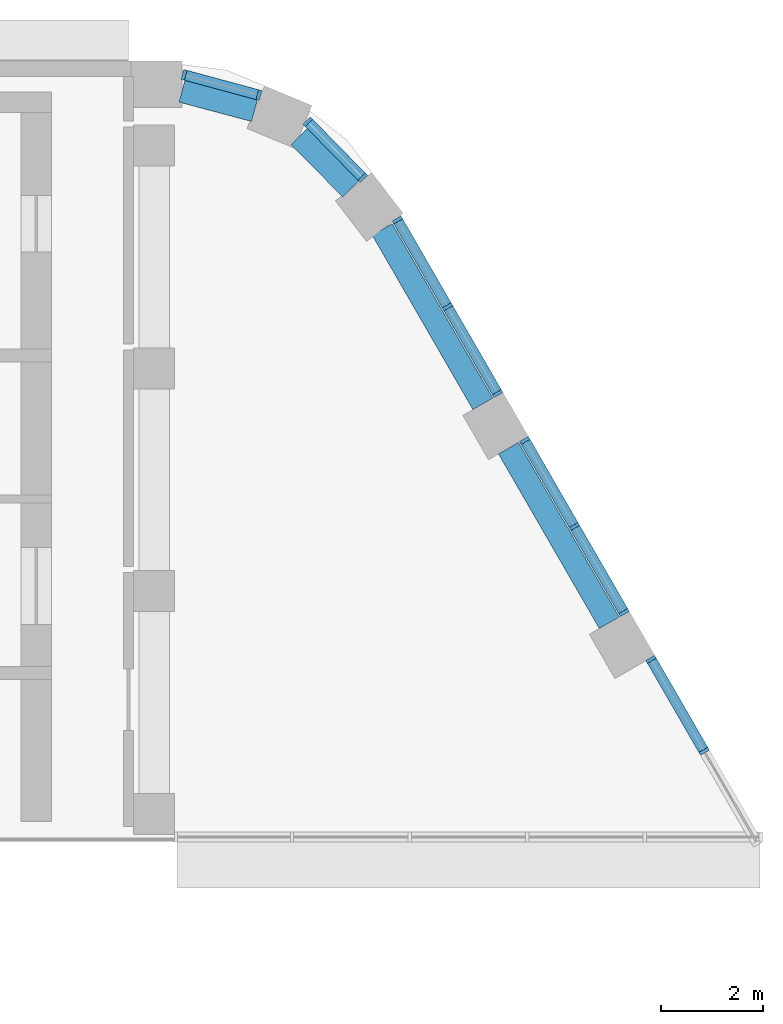
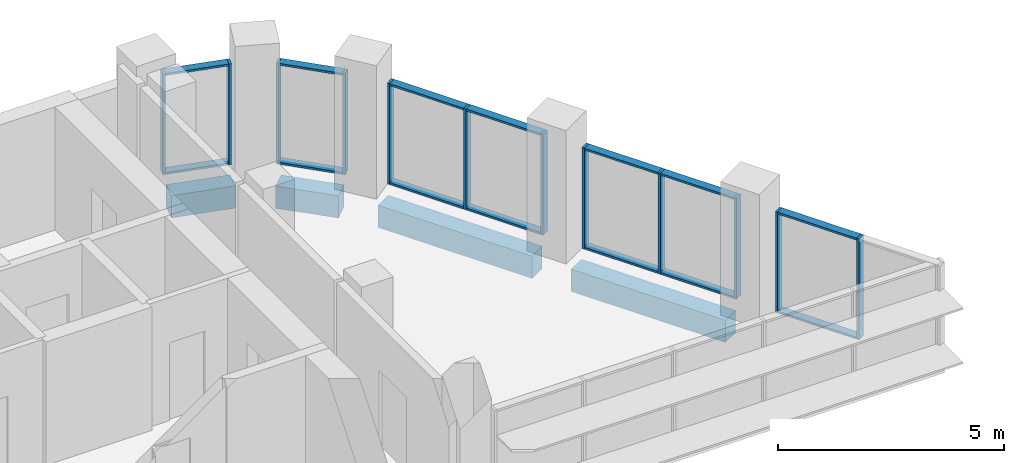
# One storey, part 6 of 13: 26 members, 4 beams, 5 elements without a shape of their own.
"""IFC4 building model written with IfcOpenShell, lengths in metres."""

from ifc_helpers import new_model, si_unit, direction, frame, origin, origin_2d, place, context, subcontext, project, spatial, rectangle, extrude, material, layer, layer_set, material_profile, profile_set, type_object, element, aggregate, save


model = new_model("IFC4")

# Units and contexts
model_context = context("Model", 3, precision=1e-05, world=origin(), true_north=direction((0.0, 1.0)))
body_context = subcontext(model_context, "Body", "Model", "MODEL_VIEW")
ifc_project = project(units=[si_unit("LENGTHUNIT", "METRE"), si_unit("AREAUNIT", "SQUARE_METRE"), si_unit("VOLUMEUNIT", "CUBIC_METRE"), si_unit("PLANEANGLEUNIT", "RADIAN"), si_unit("MASSUNIT", "GRAM", prefix="KILO")], contexts=[model_context])

# Site, building, storey
site_placement = place(None, origin())
site = spatial("IfcSite", under=ifc_project, at=site_placement, CompositionType="ELEMENT")
building_placement = place(site_placement, origin())
building = spatial("IfcBuilding", under=site, at=building_placement, Name="Nakaniwa Court", CompositionType="ELEMENT")
storey_placement = place(building_placement, frame((0.0, 0.0, 286.800048828125)))
storey = spatial("IfcBuildingStorey", under=building, at=storey_placement, Name="C05", CompositionType="ELEMENT", Elevation=286.800048828125)

# Beams
ifc_material_1 = material(Name="Concrete C80/100", Category="concrete")
ifc_material_profile_1 = material_profile(ifc_material_1, rectangle(XDim=0.449951171875, YDim=0.60009765625, at=origin_2d()), Name="Concrete C80/100 RC 450x600 spandrel beam")
ifc_profile_set_1 = profile_set([ifc_material_profile_1], Name="Concrete C80/100")
beam_type = type_object("IfcBeamType", Name="Concrete C80/100 RC 450x600 spandrel beam", PredefinedType="BEAM", material=ifc_profile_set_1)
beam_1_placement = place(storey_placement, frame((98.889404296875, 91.6826171875, -0.574951171875), z_axis=(-0.500021313302, 0.866013098194, 0.0), x_axis=(-0.866013098194, -0.500021313302, 0.0)))
element("IfcBeam", 1, at=beam_1_placement, inside=storey, type_object=beam_type, Name="SPANDREL BEAM", PredefinedType="BEAM", context=body_context, shape_type="SweptSolid", body=[
    extrude(rectangle(XDim=0.449951171875, YDim=0.60009765625, at=origin_2d()), origin(), (0.0, 0.0, 1.0), 3.936279296875),
])
beam_2_placement = place(storey_placement, frame((96.421142578125, 95.95751953125, -0.574951171875), z_axis=(-0.499958946799, 0.866049104564, 0.0), x_axis=(-0.866049104564, -0.499958946799, 0.0)))
element("IfcBeam", 2, at=beam_2_placement, inside=storey, type_object=beam_type, Name="SPANDREL BEAM", PredefinedType="BEAM", context=body_context, shape_type="SweptSolid", body=[
    extrude(rectangle(XDim=0.449951171875, YDim=0.60009765625, at=origin_2d()), origin(), (0.0, 0.0, 1.0), 3.931884765625),
])
beam_3_placement = place(storey_placement, frame((93.84716796875, 100.156494140625, -0.574951171875), z_axis=(-0.706004380105, 0.708207466265, 0.0), x_axis=(-0.708207466265, -0.706004380105, 0.0)))
element("IfcBeam", 3, at=beam_3_placement, inside=storey, type_object=beam_type, Name="SPANDREL BEAM", PredefinedType="BEAM", context=body_context, shape_type="SweptSolid", body=[
    extrude(rectangle(XDim=0.449951171875, YDim=0.60009765625, at=origin_2d()), origin(), (0.0, 0.0, 1.0), 1.440673828125),
])
beam_4_placement = place(storey_placement, frame((91.96044921875, 101.68994140625, -0.574951171875), z_axis=(-0.966301318257, 0.257413601689, 0.0), x_axis=(-0.257413601689, -0.966301318257, 0.0)))
element("IfcBeam", 4, at=beam_4_placement, inside=storey, type_object=beam_type, Name="SPANDREL BEAM", PredefinedType="BEAM", context=body_context, shape_type="SweptSolid", body=[
    extrude(rectangle(XDim=0.449951171875, YDim=0.60009765625, at=origin_2d()), origin(), (0.0, 0.0, 1.0), 1.46435546875),
])

# Curtain wall, members
ifc_material_2 = material(Name="Black anodised aluminium frame with dark low-E laminated double glazing", Category="aluminium")
ifc_layer = layer(ifc_material_2, 0.199951171875)
ifc_layer_set = layer_set([ifc_layer], Name="Black anodised aluminium frame with dark low-E laminated double glazing")
curtain_wall_type = type_object("IfcCurtainWallType", Name="Crown curtain wall", PredefinedType="NOTDEFINED", material=ifc_layer_set)
curtain_wall_1_placement = place(storey_placement, origin())
curtain_wall_1 = element("IfcCurtainWall", 5, at=curtain_wall_1_placement, inside=storey, type_object=curtain_wall_type, Name="C05 curtain wall CW4 18", PredefinedType="NOTDEFINED")
ifc_material_3 = material(Name="Black anodised aluminium extrusion", Category="aluminium")
ifc_material_profile_2 = material_profile(ifc_material_3, rectangle(XDim=0.199951171875, YDim=0.06494140625, at=origin_2d()), Name="Crown curtain wall mullion 65x200")
ifc_profile_set_2 = profile_set([ifc_material_profile_2], Name="Black anodised aluminium extrusion")
member_type_1 = type_object("IfcMemberType", Name="Crown curtain wall mullion 65x200", PredefinedType="MULLION", material=ifc_profile_set_2)
member_1_placement = place(storey_placement, frame((100.74267578125, 89.172607421875, 0.0), z_axis=(0.0, 0.0, 1.0), x_axis=(-0.866021000852, -0.500007626024, 0.0)))
member_1 = element("IfcMember", 6, at=member_1_placement, type_object=member_type_1, Name="CW4 mullion 2", PredefinedType="MULLION", context=body_context, shape_type="SweptSolid", body=[
    extrude(rectangle(XDim=0.199951171875, YDim=0.06494140625, at=origin_2d()), origin(), (0.0, 0.0, 1.0), 2.724853515625),
])
member_2_placement = place(storey_placement, frame((99.70654296875, 90.967041015625, 0.0), z_axis=(0.0, 0.0, 1.0), x_axis=(-0.866021000852, -0.500007626024, 0.0)))
member_2 = element("IfcMember", 7, at=member_2_placement, type_object=member_type_1, Name="CW4 mullion 3", PredefinedType="MULLION", context=body_context, shape_type="SweptSolid", body=[
    extrude(rectangle(XDim=0.199951171875, YDim=0.06494140625, at=origin_2d()), origin(), (0.0, 0.0, 1.0), 2.724853515625),
])

curtain_wall_2_placement = place(storey_placement, origin())
curtain_wall_2 = element("IfcCurtainWall", 8, at=curtain_wall_2_placement, inside=storey, type_object=curtain_wall_type, Name="C05 curtain wall CW4 19", PredefinedType="NOTDEFINED")
member_3_placement = place(storey_placement, frame((99.17822265625, 91.88232421875, 0.0), z_axis=(0.0, 0.0, 1.0), x_axis=(-0.866033174523, -0.499986540445, 0.0)))
member_3 = element("IfcMember", 9, at=member_3_placement, type_object=member_type_1, Name="CW4 mullion 1", PredefinedType="MULLION", context=body_context, shape_type="SweptSolid", body=[
    extrude(rectangle(XDim=0.199951171875, YDim=0.06494140625, at=origin_2d()), origin(), (0.0, 0.0, 1.0), 2.724853515625),
])
member_4_placement = place(storey_placement, frame((98.208251953125, 93.562255859375, 0.0), z_axis=(0.0, 0.0, 1.0), x_axis=(-0.866033174523, -0.499986540445, 0.0)))
member_4 = element("IfcMember", 10, at=member_4_placement, type_object=member_type_1, Name="CW4 mullion 2", PredefinedType="MULLION", context=body_context, shape_type="SweptSolid", body=[
    extrude(rectangle(XDim=0.199951171875, YDim=0.06494140625, at=origin_2d()), origin(), (0.0, 0.0, 1.0), 2.724853515625),
])
member_5_placement = place(storey_placement, frame((97.238525390625, 95.241943359375, 0.0), z_axis=(0.0, 0.0, 1.0), x_axis=(-0.866033174523, -0.499986540445, 0.0)))
member_5 = element("IfcMember", 11, at=member_5_placement, type_object=member_type_1, Name="CW4 mullion 3", PredefinedType="MULLION", context=body_context, shape_type="SweptSolid", body=[
    extrude(rectangle(XDim=0.199951171875, YDim=0.06494140625, at=origin_2d()), origin(), (0.0, 0.0, 1.0), 2.724853515625),
])

curtain_wall_3_placement = place(storey_placement, origin())
curtain_wall_3 = element("IfcCurtainWall", 12, at=curtain_wall_3_placement, inside=storey, type_object=curtain_wall_type, Name="C05 curtain wall CW4 20", PredefinedType="NOTDEFINED")
member_6_placement = place(storey_placement, frame((96.7099609375, 96.1572265625, 0.0), z_axis=(0.0, 0.0, 1.0), x_axis=(-0.866027822975, -0.499995809815, 0.0)))
member_6 = element("IfcMember", 13, at=member_6_placement, type_object=member_type_1, Name="CW4 mullion 1", PredefinedType="MULLION", context=body_context, shape_type="SweptSolid", body=[
    extrude(rectangle(XDim=0.199951171875, YDim=0.06494140625, at=origin_2d()), origin(), (0.0, 0.0, 1.0), 2.724853515625),
])
member_7_placement = place(storey_placement, frame((95.7314453125, 97.852294921875, 0.0), z_axis=(0.0, 0.0, 1.0), x_axis=(-0.866027822975, -0.499995809815, 0.0)))
member_7 = element("IfcMember", 14, at=member_7_placement, type_object=member_type_1, Name="CW4 mullion 2", PredefinedType="MULLION", context=body_context, shape_type="SweptSolid", body=[
    extrude(rectangle(XDim=0.199951171875, YDim=0.06494140625, at=origin_2d()), origin(), (0.0, 0.0, 1.0), 2.724853515625),
])
member_8_placement = place(storey_placement, frame((94.7529296875, 99.54736328125, 0.0), z_axis=(0.0, 0.0, 1.0), x_axis=(-0.866027822975, -0.499995809815, 0.0)))
member_8 = element("IfcMember", 15, at=member_8_placement, type_object=member_type_1, Name="CW4 mullion 3", PredefinedType="MULLION", context=body_context, shape_type="SweptSolid", body=[
    extrude(rectangle(XDim=0.199951171875, YDim=0.06494140625, at=origin_2d()), origin(), (0.0, 0.0, 1.0), 2.724853515625),
])

curtain_wall_4_placement = place(storey_placement, origin())
curtain_wall_4 = element("IfcCurtainWall", 16, at=curtain_wall_4_placement, inside=storey, type_object=curtain_wall_type, Name="C05 curtain wall CW4 21", PredefinedType="NOTDEFINED")
member_9_placement = place(storey_placement, frame((94.07275390625, 100.373046875, 0.0), z_axis=(0.0, 0.0, 1.0), x_axis=(-0.714886390238, -0.699240623143, 0.0)))
member_9 = element("IfcMember", 17, at=member_9_placement, type_object=member_type_1, Name="CW4 mullion 1", PredefinedType="MULLION", context=body_context, shape_type="SweptSolid", body=[
    extrude(rectangle(XDim=0.199951171875, YDim=0.06494140625, at=origin_2d()), origin(), (0.0, 0.0, 1.0), 2.724853515625),
])
member_10_placement = place(storey_placement, frame((93.000732421875, 101.46875, 0.0), z_axis=(0.0, 0.0, 1.0), x_axis=(-0.714886390238, -0.699240623143, 0.0)))
member_10 = element("IfcMember", 18, at=member_10_placement, type_object=member_type_1, Name="CW4 mullion 2", PredefinedType="MULLION", context=body_context, shape_type="SweptSolid", body=[
    extrude(rectangle(XDim=0.199951171875, YDim=0.06494140625, at=origin_2d()), origin(), (0.0, 0.0, 1.0), 2.724853515625),
])

curtain_wall_5_placement = place(storey_placement, origin())
curtain_wall_5 = element("IfcCurtainWall", 19, at=curtain_wall_5_placement, inside=storey, type_object=curtain_wall_type, Name="C05 curtain wall CW4 22", PredefinedType="NOTDEFINED")
member_11_placement = place(storey_placement, frame((92.046142578125, 101.98779296875, 0.0), z_axis=(0.0, 0.0, 1.0), x_axis=(-0.26086432797, -0.965375472235, 0.0)))
member_11 = element("IfcMember", 20, at=member_11_placement, type_object=member_type_1, Name="CW4 mullion 1", PredefinedType="MULLION", context=body_context, shape_type="SweptSolid", body=[
    extrude(rectangle(XDim=0.199951171875, YDim=0.06494140625, at=origin_2d()), origin(), (0.0, 0.0, 1.0), 2.724853515625),
])
member_12_placement = place(storey_placement, frame((90.585693359375, 102.38232421875, 0.0), z_axis=(0.0, 0.0, 1.0), x_axis=(-0.26086432797, -0.965375472235, 0.0)))
member_12 = element("IfcMember", 21, at=member_12_placement, type_object=member_type_1, Name="CW4 mullion 2", PredefinedType="MULLION", context=body_context, shape_type="SweptSolid", body=[
    extrude(rectangle(XDim=0.199951171875, YDim=0.06494140625, at=origin_2d()), origin(), (0.0, 0.0, 1.0), 2.724853515625),
])

# Member
ifc_material_profile_3 = material_profile(ifc_material_3, rectangle(XDim=0.199951171875, YDim=0.054931640625, at=origin_2d()), Name="Crown curtain wall transom 55x200")
ifc_profile_set_3 = profile_set([ifc_material_profile_3], Name="Black anodised aluminium extrusion")
member_type_2 = type_object("IfcMemberType", Name="Crown curtain wall transom 55x200", PredefinedType="USERDEFINED", material=ifc_profile_set_3)
member_13_placement = place(storey_placement, frame((100.7265625, 89.20068359375, 0.02734375), z_axis=(-0.500024272756, 0.866011389449, 0.0), x_axis=(-0.866011389449, -0.500024272756, 0.0)))
member_13 = element("IfcMember", 22, at=member_13_placement, type_object=member_type_2, Name="CW4 transom 2.1", ObjectType="TRANSOM", PredefinedType="USERDEFINED", context=body_context, shape_type="SweptSolid", body=[
    extrude(rectangle(XDim=0.199951171875, YDim=0.054931640625, at=origin_2d()), origin(), (0.0, 0.0, 1.0), 2.00732421875),
])

member_14_placement = place(storey_placement, frame((100.7265625, 89.20068359375, 2.697509765625), z_axis=(-0.500024272756, 0.866011389449, 0.0), x_axis=(-0.866011389449, -0.500024272756, 0.0)))
member_14 = element("IfcMember", 23, at=member_14_placement, type_object=member_type_2, Name="CW4 transom 2.2", ObjectType="TRANSOM", PredefinedType="USERDEFINED", context=body_context, shape_type="SweptSolid", body=[
    extrude(rectangle(XDim=0.199951171875, YDim=0.054931640625, at=origin_2d()), origin(), (0.0, 0.0, 1.0), 2.00732421875),
])

aggregate(curtain_wall_1, [member_1, member_2, member_13, member_14])

member_15_placement = place(storey_placement, frame((99.161865234375, 91.910400390625, 0.02734375), z_axis=(-0.499962952589, 0.86604679206, 0.0), x_axis=(-0.86604679206, -0.499962952589, 0.0)))
member_15 = element("IfcMember", 24, at=member_15_placement, type_object=member_type_2, Name="CW4 transom 1.1", ObjectType="TRANSOM", PredefinedType="USERDEFINED", context=body_context, shape_type="SweptSolid", body=[
    extrude(rectangle(XDim=0.199951171875, YDim=0.054931640625, at=origin_2d()), origin(), (0.0, 0.0, 1.0), 1.874755859375),
])

member_16_placement = place(storey_placement, frame((99.161865234375, 91.910400390625, 2.697509765625), z_axis=(-0.499962952589, 0.86604679206, 0.0), x_axis=(-0.86604679206, -0.499962952589, 0.0)))
member_16 = element("IfcMember", 25, at=member_16_placement, type_object=member_type_2, Name="CW4 transom 1.2", ObjectType="TRANSOM", PredefinedType="USERDEFINED", context=body_context, shape_type="SweptSolid", body=[
    extrude(rectangle(XDim=0.199951171875, YDim=0.054931640625, at=origin_2d()), origin(), (0.0, 0.0, 1.0), 1.874755859375),
])

member_17_placement = place(storey_placement, frame((98.192138671875, 93.59033203125, 0.02734375), z_axis=(-0.499962952589, 0.86604679206, 0.0), x_axis=(-0.86604679206, -0.499962952589, 0.0)))
member_17 = element("IfcMember", 26, at=member_17_placement, type_object=member_type_2, Name="CW4 transom 2.1", ObjectType="TRANSOM", PredefinedType="USERDEFINED", context=body_context, shape_type="SweptSolid", body=[
    extrude(rectangle(XDim=0.199951171875, YDim=0.054931640625, at=origin_2d()), origin(), (0.0, 0.0, 1.0), 1.874755859375),
])

member_18_placement = place(storey_placement, frame((98.192138671875, 93.59033203125, 2.697509765625), z_axis=(-0.499962952589, 0.86604679206, 0.0), x_axis=(-0.86604679206, -0.499962952589, 0.0)))
member_18 = element("IfcMember", 27, at=member_18_placement, type_object=member_type_2, Name="CW4 transom 2.2", ObjectType="TRANSOM", PredefinedType="USERDEFINED", context=body_context, shape_type="SweptSolid", body=[
    extrude(rectangle(XDim=0.199951171875, YDim=0.054931640625, at=origin_2d()), origin(), (0.0, 0.0, 1.0), 1.874755859375),
])

aggregate(curtain_wall_2, [member_3, member_4, member_5, member_15, member_16, member_17, member_18])

member_19_placement = place(storey_placement, frame((96.69384765625, 96.185302734375, 0.02734375), z_axis=(-0.499927200086, 0.866067430755, 0.0), x_axis=(-0.866067430755, -0.499927200086, 0.0)))
member_19 = element("IfcMember", 28, at=member_19_placement, type_object=member_type_2, Name="CW4 transom 1.1", ObjectType="TRANSOM", PredefinedType="USERDEFINED", context=body_context, shape_type="SweptSolid", body=[
    extrude(rectangle(XDim=0.199951171875, YDim=0.054931640625, at=origin_2d()), origin(), (0.0, 0.0, 1.0), 1.892333984375),
])

member_20_placement = place(storey_placement, frame((96.69384765625, 96.185302734375, 2.697509765625), z_axis=(-0.499927200086, 0.866067430755, 0.0), x_axis=(-0.866067430755, -0.499927200086, 0.0)))
member_20 = element("IfcMember", 29, at=member_20_placement, type_object=member_type_2, Name="CW4 transom 1.2", ObjectType="TRANSOM", PredefinedType="USERDEFINED", context=body_context, shape_type="SweptSolid", body=[
    extrude(rectangle(XDim=0.199951171875, YDim=0.054931640625, at=origin_2d()), origin(), (0.0, 0.0, 1.0), 1.892333984375),
])

member_21_placement = place(storey_placement, frame((95.715087890625, 97.88037109375, 0.02734375), z_axis=(-0.499983064336, 0.866035181374, 0.0), x_axis=(-0.866035181374, -0.499983064336, 0.0)))
member_21 = element("IfcMember", 30, at=member_21_placement, type_object=member_type_2, Name="CW4 transom 2.1", ObjectType="TRANSOM", PredefinedType="USERDEFINED", context=body_context, shape_type="SweptSolid", body=[
    extrude(rectangle(XDim=0.199951171875, YDim=0.054931640625, at=origin_2d()), origin(), (0.0, 0.0, 1.0), 1.89208984375),
])

member_22_placement = place(storey_placement, frame((95.715087890625, 97.88037109375, 2.697509765625), z_axis=(-0.499983064336, 0.866035181374, 0.0), x_axis=(-0.866035181374, -0.499983064336, 0.0)))
member_22 = element("IfcMember", 31, at=member_22_placement, type_object=member_type_2, Name="CW4 transom 2.2", ObjectType="TRANSOM", PredefinedType="USERDEFINED", context=body_context, shape_type="SweptSolid", body=[
    extrude(rectangle(XDim=0.199951171875, YDim=0.054931640625, at=origin_2d()), origin(), (0.0, 0.0, 1.0), 1.89208984375),
])

aggregate(curtain_wall_3, [member_6, member_7, member_8, member_19, member_20, member_21, member_22])

member_23_placement = place(storey_placement, frame((94.050048828125, 100.396240234375, 0.02734375), z_axis=(-0.699331103253, 0.71479787914, 0.0), x_axis=(-0.71479787914, -0.699331103253, 0.0)))
member_23 = element("IfcMember", 32, at=member_23_placement, type_object=member_type_2, Name="CW4 transom 1.1", ObjectType="TRANSOM", PredefinedType="USERDEFINED", context=body_context, shape_type="SweptSolid", body=[
    extrude(rectangle(XDim=0.199951171875, YDim=0.054931640625, at=origin_2d()), origin(), (0.0, 0.0, 1.0), 1.468017578125),
])

member_24_placement = place(storey_placement, frame((94.050048828125, 100.396240234375, 2.697509765625), z_axis=(-0.699331103253, 0.71479787914, 0.0), x_axis=(-0.71479787914, -0.699331103253, 0.0)))
member_24 = element("IfcMember", 33, at=member_24_placement, type_object=member_type_2, Name="CW4 transom 1.2", ObjectType="TRANSOM", PredefinedType="USERDEFINED", context=body_context, shape_type="SweptSolid", body=[
    extrude(rectangle(XDim=0.199951171875, YDim=0.054931640625, at=origin_2d()), origin(), (0.0, 0.0, 1.0), 1.468017578125),
])

aggregate(curtain_wall_4, [member_9, member_10, member_23, member_24])

member_25_placement = place(storey_placement, frame((92.014892578125, 101.996337890625, 0.02734375), z_axis=(-0.965376018657, 0.260862305828, 0.0), x_axis=(-0.260862305828, -0.965376018657, 0.0)))
member_25 = element("IfcMember", 34, at=member_25_placement, type_object=member_type_2, Name="CW4 transom 1.1", ObjectType="TRANSOM", PredefinedType="USERDEFINED", context=body_context, shape_type="SweptSolid", body=[
    extrude(rectangle(XDim=0.199951171875, YDim=0.054931640625, at=origin_2d()), origin(), (0.0, 0.0, 1.0), 1.44775390625),
])

member_26_placement = place(storey_placement, frame((92.014892578125, 101.996337890625, 2.697509765625), z_axis=(-0.965376018657, 0.260862305828, 0.0), x_axis=(-0.260862305828, -0.965376018657, 0.0)))
member_26 = element("IfcMember", 35, at=member_26_placement, type_object=member_type_2, Name="CW4 transom 1.2", ObjectType="TRANSOM", PredefinedType="USERDEFINED", context=body_context, shape_type="SweptSolid", body=[
    extrude(rectangle(XDim=0.199951171875, YDim=0.054931640625, at=origin_2d()), origin(), (0.0, 0.0, 1.0), 1.44775390625),
])

aggregate(curtain_wall_5, [member_11, member_12, member_25, member_26])

save(model, "model.ifc")
